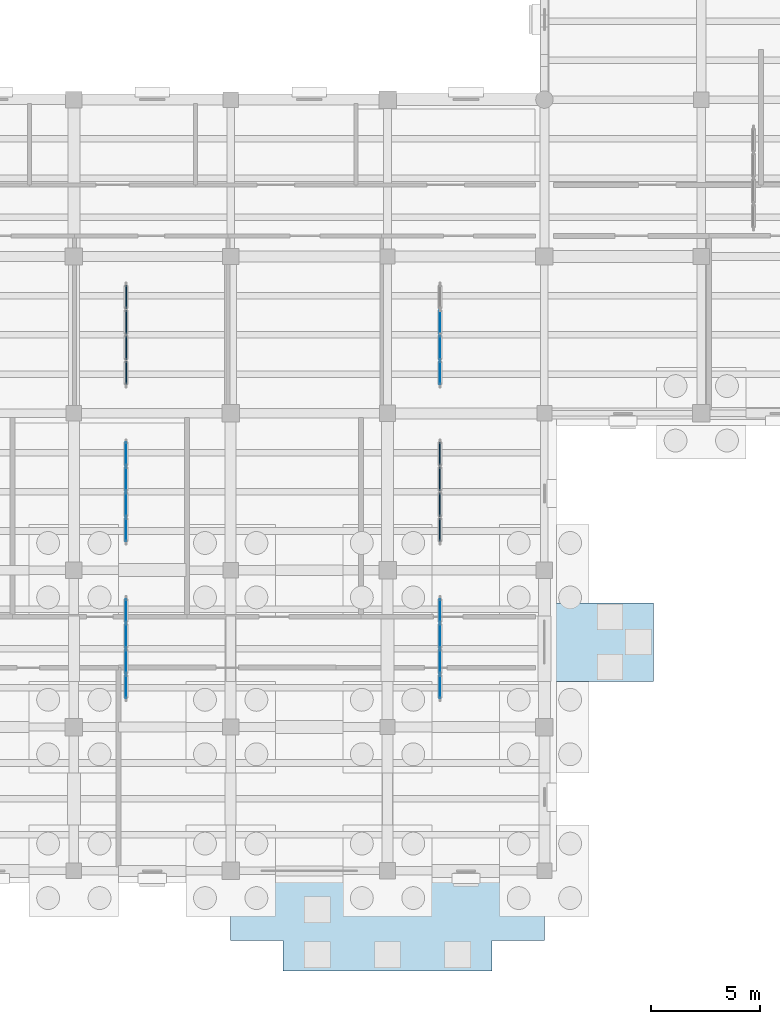
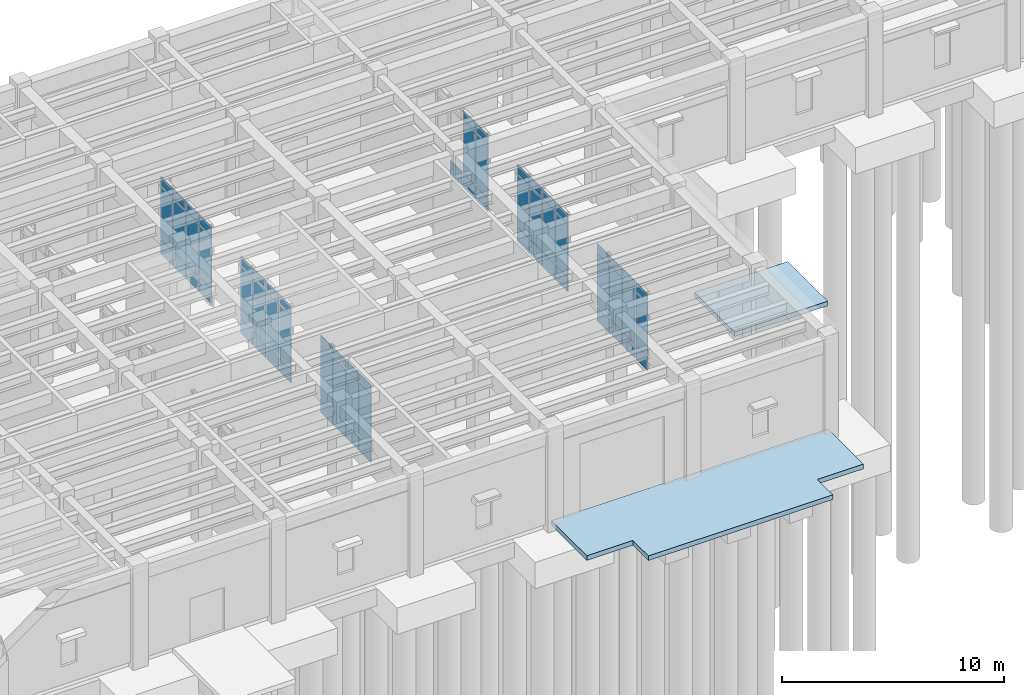
# One storey, part 62 of 100: 67 plates, 2 slabs, 6 elements without a shape of their own.
"""IFC4 building model written with IfcOpenShell, lengths in metres."""

from ifc_helpers import new_model, si_unit, direction, frame, origin, origin_2d, place, context, subcontext, project, spatial, polyline, rectangle, outline, extrude, material, layer, layer_set, type_object, element, aggregate, save


model = new_model("IFC4")

# Units and contexts
model_context = context("Model", 3, precision=1e-05, world=origin(), true_north=direction((0.0, 1.0)))
body_context = subcontext(model_context, "Body", "Model", "MODEL_VIEW")
ifc_project = project(units=[si_unit("LENGTHUNIT", "METRE"), si_unit("AREAUNIT", "SQUARE_METRE"), si_unit("VOLUMEUNIT", "CUBIC_METRE"), si_unit("PLANEANGLEUNIT", "RADIAN"), si_unit("MASSUNIT", "GRAM", prefix="KILO")], contexts=[model_context])

# Site, building, storey
site_placement = place(None, origin())
site = spatial("IfcSite", under=ifc_project, at=site_placement, CompositionType="ELEMENT")
building_placement = place(site_placement, origin())
building = spatial("IfcBuilding", under=site, at=building_placement, Name="Mithqara Police Headquarters", CompositionType="ELEMENT")
storey_placement = place(building_placement, origin())
storey = spatial("IfcBuildingStorey", under=building, at=storey_placement, Name="L00", CompositionType="ELEMENT", Elevation=0.0)

# Curtain wall, plates
ifc_material_1 = material(Name="Bronze anodised aluminium 6063-T6", Category="aluminium")
curtain_wall_type = type_object("IfcCurtainWallType", Name="CURTAIN WALL 4700X4400", PredefinedType="USERDEFINED", material=ifc_material_1)
curtain_wall_1_placement = place(storey_placement, origin())
curtain_wall_1 = element("IfcCurtainWall", 1, at=curtain_wall_1_placement, inside=storey, type_object=curtain_wall_type, Name="L00 Unitised Glazing CW-14 (CW-INT-L00-X17-Y01-0)", ObjectType="UNITISED GLAZING", PredefinedType="USERDEFINED")
ifc_material_2 = material(Name="Spectrally selective double low-e glass", Category="glass")
ifc_layer_1 = layer(ifc_material_2, 0.028076171875, Name="Spectrally selective double low-e glass")
ifc_layer_set_1 = layer_set([ifc_layer_1], Name="Spectrally selective double low-e glass")
plate_type_1 = type_object("IfcPlateType", Name="CWPANEL GLASS28", PredefinedType="CURTAIN_PANEL", material=ifc_layer_set_1)
plate_1_placement = place(storey_placement, frame((125.39990234375, 8.456298828125, 0.074951171875), z_axis=(0.0, 0.0, 1.0), x_axis=(0.0, 1.0, 0.0)))
plate_1 = element("IfcPlate", 2, at=plate_1_placement, type_object=plate_type_1, Name="CW-14 panel 1.1", PredefinedType="CURTAIN_PANEL", context=body_context, shape_type="SweptSolid", body=[
    extrude(rectangle(XDim=1.0625, YDim=0.028076171875, at=origin_2d()), origin(), (0.0, 0.0, 1.0), 0.78759765625),
])
plate_2_placement = place(storey_placement, frame((125.39990234375, 8.456298828125, 0.9375), z_axis=(0.0, 0.0, 1.0), x_axis=(0.0, 1.0, 0.0)))
plate_2 = element("IfcPlate", 3, at=plate_2_placement, type_object=plate_type_1, Name="CW-14 panel 1.2", PredefinedType="CURTAIN_PANEL", context=body_context, shape_type="SweptSolid", body=[
    extrude(rectangle(XDim=1.0625, YDim=0.028076171875, at=origin_2d()), origin(), (0.0, 0.0, 1.0), 2.875),
])
plate_3_placement = place(storey_placement, frame((125.39990234375, 8.456298828125, 3.887451171875), z_axis=(0.0, 0.0, 1.0), x_axis=(0.0, 1.0, 0.0)))
plate_3 = element("IfcPlate", 4, at=plate_3_placement, type_object=plate_type_1, Name="CW-14 panel 1.3", PredefinedType="CURTAIN_PANEL", context=body_context, shape_type="SweptSolid", body=[
    extrude(rectangle(XDim=1.0625, YDim=0.028076171875, at=origin_2d()), origin(), (0.0, 0.0, 1.0), 0.4375),
])
plate_4_placement = place(storey_placement, frame((125.39990234375, 9.612548828125, 0.074951171875), z_axis=(0.0, 0.0, 1.0), x_axis=(0.0, 1.0, 0.0)))
plate_4 = element("IfcPlate", 5, at=plate_4_placement, type_object=plate_type_1, Name="CW-14 panel 2.1", PredefinedType="CURTAIN_PANEL", context=body_context, shape_type="SweptSolid", body=[
    extrude(rectangle(XDim=1.10009765625, YDim=0.028076171875, at=origin_2d()), origin(), (0.0, 0.0, 1.0), 0.78759765625),
])
plate_5_placement = place(storey_placement, frame((125.39990234375, 9.612548828125, 0.9375), z_axis=(0.0, 0.0, 1.0), x_axis=(0.0, 1.0, 0.0)))
plate_5 = element("IfcPlate", 6, at=plate_5_placement, type_object=plate_type_1, Name="CW-14 panel 2.2", PredefinedType="CURTAIN_PANEL", context=body_context, shape_type="SweptSolid", body=[
    extrude(rectangle(XDim=1.10009765625, YDim=0.028076171875, at=origin_2d()), origin(), (0.0, 0.0, 1.0), 2.875),
])
plate_6_placement = place(storey_placement, frame((125.39990234375, 9.612548828125, 3.887451171875), z_axis=(0.0, 0.0, 1.0), x_axis=(0.0, 1.0, 0.0)))
plate_6 = element("IfcPlate", 7, at=plate_6_placement, type_object=plate_type_1, Name="CW-14 panel 2.3", PredefinedType="CURTAIN_PANEL", context=body_context, shape_type="SweptSolid", body=[
    extrude(rectangle(XDim=1.10009765625, YDim=0.028076171875, at=origin_2d()), origin(), (0.0, 0.0, 1.0), 0.4375),
])
plate_7_placement = place(storey_placement, frame((125.39990234375, 10.78759765625, 0.074951171875), z_axis=(0.0, 0.0, 1.0), x_axis=(0.0, 1.0, 0.0)))
plate_7 = element("IfcPlate", 8, at=plate_7_placement, type_object=plate_type_1, Name="CW-14 panel 3.1", PredefinedType="CURTAIN_PANEL", context=body_context, shape_type="SweptSolid", body=[
    extrude(rectangle(XDim=1.10009765625, YDim=0.028076171875, at=origin_2d()), origin(), (0.0, 0.0, 1.0), 0.78759765625),
])
plate_8_placement = place(storey_placement, frame((125.39990234375, 10.78759765625, 0.9375), z_axis=(0.0, 0.0, 1.0), x_axis=(0.0, 1.0, 0.0)))
plate_8 = element("IfcPlate", 9, at=plate_8_placement, type_object=plate_type_1, Name="CW-14 panel 3.2", PredefinedType="CURTAIN_PANEL", context=body_context, shape_type="SweptSolid", body=[
    extrude(rectangle(XDim=1.10009765625, YDim=0.028076171875, at=origin_2d()), origin(), (0.0, 0.0, 1.0), 2.875),
])
plate_9_placement = place(storey_placement, frame((125.39990234375, 10.78759765625, 3.887451171875), z_axis=(0.0, 0.0, 1.0), x_axis=(0.0, 1.0, 0.0)))
plate_9 = element("IfcPlate", 10, at=plate_9_placement, type_object=plate_type_1, Name="CW-14 panel 3.3", PredefinedType="CURTAIN_PANEL", context=body_context, shape_type="SweptSolid", body=[
    extrude(rectangle(XDim=1.10009765625, YDim=0.028076171875, at=origin_2d()), origin(), (0.0, 0.0, 1.0), 0.4375),
])
plate_10_placement = place(storey_placement, frame((125.39990234375, 11.94384765625, 0.074951171875), z_axis=(0.0, 0.0, 1.0), x_axis=(0.0, 1.0, 0.0)))
plate_10 = element("IfcPlate", 11, at=plate_10_placement, type_object=plate_type_1, Name="CW-14 panel 4.1", PredefinedType="CURTAIN_PANEL", context=body_context, shape_type="SweptSolid", body=[
    extrude(rectangle(XDim=1.0625, YDim=0.028076171875, at=origin_2d()), origin(), (0.0, 0.0, 1.0), 0.78759765625),
])
plate_11_placement = place(storey_placement, frame((125.39990234375, 11.94384765625, 0.9375), z_axis=(0.0, 0.0, 1.0), x_axis=(0.0, 1.0, 0.0)))
plate_11 = element("IfcPlate", 12, at=plate_11_placement, type_object=plate_type_1, Name="CW-14 panel 4.2", PredefinedType="CURTAIN_PANEL", context=body_context, shape_type="SweptSolid", body=[
    extrude(rectangle(XDim=1.0625, YDim=0.028076171875, at=origin_2d()), origin(), (0.0, 0.0, 1.0), 2.875),
])
plate_12_placement = place(storey_placement, frame((125.39990234375, 11.94384765625, 3.887451171875), z_axis=(0.0, 0.0, 1.0), x_axis=(0.0, 1.0, 0.0)))
plate_12 = element("IfcPlate", 13, at=plate_12_placement, type_object=plate_type_1, Name="CW-14 panel 4.3", PredefinedType="CURTAIN_PANEL", context=body_context, shape_type="SweptSolid", body=[
    extrude(rectangle(XDim=1.0625, YDim=0.028076171875, at=origin_2d()), origin(), (0.0, 0.0, 1.0), 0.4375),
])
aggregate(curtain_wall_1, [plate_1, plate_2, plate_3, plate_4, plate_5, plate_6, plate_7, plate_8, plate_9, plate_10, plate_11, plate_12])

curtain_wall_2_placement = place(storey_placement, origin())
curtain_wall_2 = element("IfcCurtainWall", 14, at=curtain_wall_2_placement, inside=storey, type_object=curtain_wall_type, Name="L00 Unitised Glazing CW-14 (CW-INT-L00-X17-Y02-0)", ObjectType="UNITISED GLAZING", PredefinedType="USERDEFINED")
plate_13_placement = place(storey_placement, frame((125.39990234375, 15.65625, 0.074951171875), z_axis=(0.0, 0.0, 1.0), x_axis=(0.0, 1.0, 0.0)))
plate_13 = element("IfcPlate", 15, at=plate_13_placement, type_object=plate_type_1, Name="CW-14 panel 1.1", PredefinedType="CURTAIN_PANEL", context=body_context, shape_type="SweptSolid", body=[
    extrude(rectangle(XDim=1.0625, YDim=0.028076171875, at=origin_2d()), origin(), (0.0, 0.0, 1.0), 0.78759765625),
])
plate_14_placement = place(storey_placement, frame((125.39990234375, 15.65625, 0.9375), z_axis=(0.0, 0.0, 1.0), x_axis=(0.0, 1.0, 0.0)))
plate_14 = element("IfcPlate", 16, at=plate_14_placement, type_object=plate_type_1, Name="CW-14 panel 1.2", PredefinedType="CURTAIN_PANEL", context=body_context, shape_type="SweptSolid", body=[
    extrude(rectangle(XDim=1.0625, YDim=0.028076171875, at=origin_2d()), origin(), (0.0, 0.0, 1.0), 2.875),
])
plate_15_placement = place(storey_placement, frame((125.39990234375, 15.65625, 3.887451171875), z_axis=(0.0, 0.0, 1.0), x_axis=(0.0, 1.0, 0.0)))
plate_15 = element("IfcPlate", 17, at=plate_15_placement, type_object=plate_type_1, Name="CW-14 panel 1.3", PredefinedType="CURTAIN_PANEL", context=body_context, shape_type="SweptSolid", body=[
    extrude(rectangle(XDim=1.0625, YDim=0.028076171875, at=origin_2d()), origin(), (0.0, 0.0, 1.0), 0.4375),
])
plate_16_placement = place(storey_placement, frame((125.39990234375, 16.8125, 0.074951171875), z_axis=(0.0, 0.0, 1.0), x_axis=(0.0, 1.0, 0.0)))
plate_16 = element("IfcPlate", 18, at=plate_16_placement, type_object=plate_type_1, Name="CW-14 panel 2.1", PredefinedType="CURTAIN_PANEL", context=body_context, shape_type="SweptSolid", body=[
    extrude(rectangle(XDim=1.10009765625, YDim=0.028076171875, at=origin_2d()), origin(), (0.0, 0.0, 1.0), 0.78759765625),
])
plate_17_placement = place(storey_placement, frame((125.39990234375, 16.8125, 0.9375), z_axis=(0.0, 0.0, 1.0), x_axis=(0.0, 1.0, 0.0)))
plate_17 = element("IfcPlate", 19, at=plate_17_placement, type_object=plate_type_1, Name="CW-14 panel 2.2", PredefinedType="CURTAIN_PANEL", context=body_context, shape_type="SweptSolid", body=[
    extrude(rectangle(XDim=1.10009765625, YDim=0.028076171875, at=origin_2d()), origin(), (0.0, 0.0, 1.0), 2.875),
])
plate_18_placement = place(storey_placement, frame((125.39990234375, 16.8125, 3.887451171875), z_axis=(0.0, 0.0, 1.0), x_axis=(0.0, 1.0, 0.0)))
plate_18 = element("IfcPlate", 20, at=plate_18_placement, type_object=plate_type_1, Name="CW-14 panel 2.3", PredefinedType="CURTAIN_PANEL", context=body_context, shape_type="SweptSolid", body=[
    extrude(rectangle(XDim=1.10009765625, YDim=0.028076171875, at=origin_2d()), origin(), (0.0, 0.0, 1.0), 0.4375),
])
plate_19_placement = place(storey_placement, frame((125.39990234375, 17.987548828125, 0.074951171875), z_axis=(0.0, 0.0, 1.0), x_axis=(0.0, 1.0, 0.0)))
plate_19 = element("IfcPlate", 21, at=plate_19_placement, type_object=plate_type_1, Name="CW-14 panel 3.1", PredefinedType="CURTAIN_PANEL", context=body_context, shape_type="SweptSolid", body=[
    extrude(rectangle(XDim=1.10009765625, YDim=0.028076171875, at=origin_2d()), origin(), (0.0, 0.0, 1.0), 0.78759765625),
])
plate_20_placement = place(storey_placement, frame((125.39990234375, 17.987548828125, 0.9375), z_axis=(0.0, 0.0, 1.0), x_axis=(0.0, 1.0, 0.0)))
plate_20 = element("IfcPlate", 22, at=plate_20_placement, type_object=plate_type_1, Name="CW-14 panel 3.2", PredefinedType="CURTAIN_PANEL", context=body_context, shape_type="SweptSolid", body=[
    extrude(rectangle(XDim=1.10009765625, YDim=0.028076171875, at=origin_2d()), origin(), (0.0, 0.0, 1.0), 2.875),
])
plate_21_placement = place(storey_placement, frame((125.39990234375, 17.987548828125, 3.887451171875), z_axis=(0.0, 0.0, 1.0), x_axis=(0.0, 1.0, 0.0)))
plate_21 = element("IfcPlate", 23, at=plate_21_placement, type_object=plate_type_1, Name="CW-14 panel 3.3", PredefinedType="CURTAIN_PANEL", context=body_context, shape_type="SweptSolid", body=[
    extrude(rectangle(XDim=1.10009765625, YDim=0.028076171875, at=origin_2d()), origin(), (0.0, 0.0, 1.0), 0.4375),
])
plate_22_placement = place(storey_placement, frame((125.39990234375, 19.143798828125, 0.074951171875), z_axis=(0.0, 0.0, 1.0), x_axis=(0.0, 1.0, 0.0)))
plate_22 = element("IfcPlate", 24, at=plate_22_placement, type_object=plate_type_1, Name="CW-14 panel 4.1", PredefinedType="CURTAIN_PANEL", context=body_context, shape_type="SweptSolid", body=[
    extrude(rectangle(XDim=1.0625, YDim=0.028076171875, at=origin_2d()), origin(), (0.0, 0.0, 1.0), 0.78759765625),
])
plate_23_placement = place(storey_placement, frame((125.39990234375, 19.143798828125, 0.9375), z_axis=(0.0, 0.0, 1.0), x_axis=(0.0, 1.0, 0.0)))
plate_23 = element("IfcPlate", 25, at=plate_23_placement, type_object=plate_type_1, Name="CW-14 panel 4.2", PredefinedType="CURTAIN_PANEL", context=body_context, shape_type="SweptSolid", body=[
    extrude(rectangle(XDim=1.0625, YDim=0.028076171875, at=origin_2d()), origin(), (0.0, 0.0, 1.0), 2.875),
])
plate_24_placement = place(storey_placement, frame((125.39990234375, 19.143798828125, 3.887451171875), z_axis=(0.0, 0.0, 1.0), x_axis=(0.0, 1.0, 0.0)))
plate_24 = element("IfcPlate", 26, at=plate_24_placement, type_object=plate_type_1, Name="CW-14 panel 4.3", PredefinedType="CURTAIN_PANEL", context=body_context, shape_type="SweptSolid", body=[
    extrude(rectangle(XDim=1.0625, YDim=0.028076171875, at=origin_2d()), origin(), (0.0, 0.0, 1.0), 0.4375),
])
aggregate(curtain_wall_2, [plate_13, plate_14, plate_15, plate_16, plate_17, plate_18, plate_19, plate_20, plate_21, plate_22, plate_23, plate_24])

curtain_wall_3_placement = place(storey_placement, origin())
curtain_wall_3 = element("IfcCurtainWall", 27, at=curtain_wall_3_placement, inside=storey, type_object=curtain_wall_type, Name="L00 Unitised Glazing CW-14 (CW-INT-L00-X19-Y01-0)", ObjectType="UNITISED GLAZING", PredefinedType="USERDEFINED")
plate_25_placement = place(storey_placement, frame((139.800048828125, 8.456298828125, 0.074951171875), z_axis=(0.0, 0.0, 1.0), x_axis=(0.0, 1.0, 0.0)))
plate_25 = element("IfcPlate", 28, at=plate_25_placement, type_object=plate_type_1, Name="CW-14 panel 1.1", PredefinedType="CURTAIN_PANEL", context=body_context, shape_type="SweptSolid", body=[
    extrude(rectangle(XDim=1.0625, YDim=0.028076171875, at=origin_2d()), origin(), (0.0, 0.0, 1.0), 0.78759765625),
])
plate_26_placement = place(storey_placement, frame((139.800048828125, 8.456298828125, 0.9375), z_axis=(0.0, 0.0, 1.0), x_axis=(0.0, 1.0, 0.0)))
plate_26 = element("IfcPlate", 29, at=plate_26_placement, type_object=plate_type_1, Name="CW-14 panel 1.2", PredefinedType="CURTAIN_PANEL", context=body_context, shape_type="SweptSolid", body=[
    extrude(rectangle(XDim=1.0625, YDim=0.028076171875, at=origin_2d()), origin(), (0.0, 0.0, 1.0), 2.875),
])
plate_27_placement = place(storey_placement, frame((139.800048828125, 8.456298828125, 3.887451171875), z_axis=(0.0, 0.0, 1.0), x_axis=(0.0, 1.0, 0.0)))
plate_27 = element("IfcPlate", 30, at=plate_27_placement, type_object=plate_type_1, Name="CW-14 panel 1.3", PredefinedType="CURTAIN_PANEL", context=body_context, shape_type="SweptSolid", body=[
    extrude(rectangle(XDim=1.0625, YDim=0.028076171875, at=origin_2d()), origin(), (0.0, 0.0, 1.0), 0.4375),
])
plate_28_placement = place(storey_placement, frame((139.800048828125, 9.612548828125, 0.074951171875), z_axis=(0.0, 0.0, 1.0), x_axis=(0.0, 1.0, 0.0)))
plate_28 = element("IfcPlate", 31, at=plate_28_placement, type_object=plate_type_1, Name="CW-14 panel 2.1", PredefinedType="CURTAIN_PANEL", context=body_context, shape_type="SweptSolid", body=[
    extrude(rectangle(XDim=1.10009765625, YDim=0.028076171875, at=origin_2d()), origin(), (0.0, 0.0, 1.0), 0.78759765625),
])
plate_29_placement = place(storey_placement, frame((139.800048828125, 9.612548828125, 0.9375), z_axis=(0.0, 0.0, 1.0), x_axis=(0.0, 1.0, 0.0)))
plate_29 = element("IfcPlate", 32, at=plate_29_placement, type_object=plate_type_1, Name="CW-14 panel 2.2", PredefinedType="CURTAIN_PANEL", context=body_context, shape_type="SweptSolid", body=[
    extrude(rectangle(XDim=1.10009765625, YDim=0.028076171875, at=origin_2d()), origin(), (0.0, 0.0, 1.0), 2.875),
])
plate_30_placement = place(storey_placement, frame((139.800048828125, 9.612548828125, 3.887451171875), z_axis=(0.0, 0.0, 1.0), x_axis=(0.0, 1.0, 0.0)))
plate_30 = element("IfcPlate", 33, at=plate_30_placement, type_object=plate_type_1, Name="CW-14 panel 2.3", PredefinedType="CURTAIN_PANEL", context=body_context, shape_type="SweptSolid", body=[
    extrude(rectangle(XDim=1.10009765625, YDim=0.028076171875, at=origin_2d()), origin(), (0.0, 0.0, 1.0), 0.4375),
])
plate_31_placement = place(storey_placement, frame((139.800048828125, 10.78759765625, 0.074951171875), z_axis=(0.0, 0.0, 1.0), x_axis=(0.0, 1.0, 0.0)))
plate_31 = element("IfcPlate", 34, at=plate_31_placement, type_object=plate_type_1, Name="CW-14 panel 3.1", PredefinedType="CURTAIN_PANEL", context=body_context, shape_type="SweptSolid", body=[
    extrude(rectangle(XDim=1.10009765625, YDim=0.028076171875, at=origin_2d()), origin(), (0.0, 0.0, 1.0), 0.78759765625),
])
plate_32_placement = place(storey_placement, frame((139.800048828125, 10.78759765625, 0.9375), z_axis=(0.0, 0.0, 1.0), x_axis=(0.0, 1.0, 0.0)))
plate_32 = element("IfcPlate", 35, at=plate_32_placement, type_object=plate_type_1, Name="CW-14 panel 3.2", PredefinedType="CURTAIN_PANEL", context=body_context, shape_type="SweptSolid", body=[
    extrude(rectangle(XDim=1.10009765625, YDim=0.028076171875, at=origin_2d()), origin(), (0.0, 0.0, 1.0), 2.875),
])
plate_33_placement = place(storey_placement, frame((139.800048828125, 10.78759765625, 3.887451171875), z_axis=(0.0, 0.0, 1.0), x_axis=(0.0, 1.0, 0.0)))
plate_33 = element("IfcPlate", 36, at=plate_33_placement, type_object=plate_type_1, Name="CW-14 panel 3.3", PredefinedType="CURTAIN_PANEL", context=body_context, shape_type="SweptSolid", body=[
    extrude(rectangle(XDim=1.10009765625, YDim=0.028076171875, at=origin_2d()), origin(), (0.0, 0.0, 1.0), 0.4375),
])
plate_34_placement = place(storey_placement, frame((139.800048828125, 11.94384765625, 0.074951171875), z_axis=(0.0, 0.0, 1.0), x_axis=(0.0, 1.0, 0.0)))
plate_34 = element("IfcPlate", 37, at=plate_34_placement, type_object=plate_type_1, Name="CW-14 panel 4.1", PredefinedType="CURTAIN_PANEL", context=body_context, shape_type="SweptSolid", body=[
    extrude(rectangle(XDim=1.0625, YDim=0.028076171875, at=origin_2d()), origin(), (0.0, 0.0, 1.0), 0.78759765625),
])
plate_35_placement = place(storey_placement, frame((139.800048828125, 11.94384765625, 0.9375), z_axis=(0.0, 0.0, 1.0), x_axis=(0.0, 1.0, 0.0)))
plate_35 = element("IfcPlate", 38, at=plate_35_placement, type_object=plate_type_1, Name="CW-14 panel 4.2", PredefinedType="CURTAIN_PANEL", context=body_context, shape_type="SweptSolid", body=[
    extrude(rectangle(XDim=1.0625, YDim=0.028076171875, at=origin_2d()), origin(), (0.0, 0.0, 1.0), 2.875),
])
plate_36_placement = place(storey_placement, frame((139.800048828125, 11.94384765625, 3.887451171875), z_axis=(0.0, 0.0, 1.0), x_axis=(0.0, 1.0, 0.0)))
plate_36 = element("IfcPlate", 39, at=plate_36_placement, type_object=plate_type_1, Name="CW-14 panel 4.3", PredefinedType="CURTAIN_PANEL", context=body_context, shape_type="SweptSolid", body=[
    extrude(rectangle(XDim=1.0625, YDim=0.028076171875, at=origin_2d()), origin(), (0.0, 0.0, 1.0), 0.4375),
])
aggregate(curtain_wall_3, [plate_25, plate_26, plate_27, plate_28, plate_29, plate_30, plate_31, plate_32, plate_33, plate_34, plate_35, plate_36])

curtain_wall_4_placement = place(storey_placement, origin())
curtain_wall_4 = element("IfcCurtainWall", 40, at=curtain_wall_4_placement, inside=storey, type_object=curtain_wall_type, Name="L00 Unitised Glazing CW-14 (CW-INT-L00-X19-Y03-0)", ObjectType="UNITISED GLAZING", PredefinedType="USERDEFINED")
plate_37_placement = place(storey_placement, frame((139.800048828125, 22.856201171875, 0.074951171875), z_axis=(0.0, 0.0, 1.0), x_axis=(0.0, 1.0, 0.0)))
plate_37 = element("IfcPlate", 41, at=plate_37_placement, type_object=plate_type_1, Name="CW-14 panel 1.1", PredefinedType="CURTAIN_PANEL", context=body_context, shape_type="SweptSolid", body=[
    extrude(rectangle(XDim=1.0625, YDim=0.028076171875, at=origin_2d()), origin(), (0.0, 0.0, 1.0), 0.78759765625),
])
plate_38_placement = place(storey_placement, frame((139.800048828125, 22.856201171875, 0.9375), z_axis=(0.0, 0.0, 1.0), x_axis=(0.0, 1.0, 0.0)))
plate_38 = element("IfcPlate", 42, at=plate_38_placement, type_object=plate_type_1, Name="CW-14 panel 1.2", PredefinedType="CURTAIN_PANEL", context=body_context, shape_type="SweptSolid", body=[
    extrude(rectangle(XDim=1.0625, YDim=0.028076171875, at=origin_2d()), origin(), (0.0, 0.0, 1.0), 2.875),
])
plate_39_placement = place(storey_placement, frame((139.800048828125, 22.856201171875, 3.887451171875), z_axis=(0.0, 0.0, 1.0), x_axis=(0.0, 1.0, 0.0)))
plate_39 = element("IfcPlate", 43, at=plate_39_placement, type_object=plate_type_1, Name="CW-14 panel 1.3", PredefinedType="CURTAIN_PANEL", context=body_context, shape_type="SweptSolid", body=[
    extrude(rectangle(XDim=1.0625, YDim=0.028076171875, at=origin_2d()), origin(), (0.0, 0.0, 1.0), 0.4375),
])
plate_40_placement = place(storey_placement, frame((139.800048828125, 24.012451171875, 0.074951171875), z_axis=(0.0, 0.0, 1.0), x_axis=(0.0, 1.0, 0.0)))
plate_40 = element("IfcPlate", 44, at=plate_40_placement, type_object=plate_type_1, Name="CW-14 panel 2.1", PredefinedType="CURTAIN_PANEL", context=body_context, shape_type="SweptSolid", body=[
    extrude(rectangle(XDim=1.10009765625, YDim=0.028076171875, at=origin_2d()), origin(), (0.0, 0.0, 1.0), 0.78759765625),
])
plate_41_placement = place(storey_placement, frame((139.800048828125, 24.012451171875, 0.9375), z_axis=(0.0, 0.0, 1.0), x_axis=(0.0, 1.0, 0.0)))
plate_41 = element("IfcPlate", 45, at=plate_41_placement, type_object=plate_type_1, Name="CW-14 panel 2.2", PredefinedType="CURTAIN_PANEL", context=body_context, shape_type="SweptSolid", body=[
    extrude(rectangle(XDim=1.10009765625, YDim=0.028076171875, at=origin_2d()), origin(), (0.0, 0.0, 1.0), 2.875),
])
plate_42_placement = place(storey_placement, frame((139.800048828125, 24.012451171875, 3.887451171875), z_axis=(0.0, 0.0, 1.0), x_axis=(0.0, 1.0, 0.0)))
plate_42 = element("IfcPlate", 46, at=plate_42_placement, type_object=plate_type_1, Name="CW-14 panel 2.3", PredefinedType="CURTAIN_PANEL", context=body_context, shape_type="SweptSolid", body=[
    extrude(rectangle(XDim=1.10009765625, YDim=0.028076171875, at=origin_2d()), origin(), (0.0, 0.0, 1.0), 0.4375),
])
plate_43_placement = place(storey_placement, frame((139.800048828125, 25.1875, 0.074951171875), z_axis=(0.0, 0.0, 1.0), x_axis=(0.0, 1.0, 0.0)))
plate_43 = element("IfcPlate", 47, at=plate_43_placement, type_object=plate_type_1, Name="CW-14 panel 3.1", PredefinedType="CURTAIN_PANEL", context=body_context, shape_type="SweptSolid", body=[
    extrude(rectangle(XDim=1.10009765625, YDim=0.028076171875, at=origin_2d()), origin(), (0.0, 0.0, 1.0), 0.78759765625),
])
aggregate(curtain_wall_4, [plate_37, plate_38, plate_39, plate_40, plate_41, plate_42, plate_43])

curtain_wall_5_placement = place(storey_placement, origin())
curtain_wall_5 = element("IfcCurtainWall", 48, at=curtain_wall_5_placement, inside=storey, type_object=curtain_wall_type, Name="L00 Unitised Glazing CW-14 (CW-INT-L00-X17-Y03-0)", ObjectType="UNITISED GLAZING", PredefinedType="USERDEFINED")
ifc_material_3 = material(Name="Insulated bronze aluminium spandrel panel", Category="aluminium")
ifc_layer_2 = layer(ifc_material_3, 0.048095703125, Name="Insulated bronze aluminium spandrel panel")
ifc_layer_set_2 = layer_set([ifc_layer_2], Name="Insulated bronze aluminium spandrel panel")
plate_type_2 = type_object("IfcPlateType", Name="CWPANEL SPANDREL48", PredefinedType="CURTAIN_PANEL", material=ifc_layer_set_2)
plate_44_placement = place(storey_placement, frame((125.39990234375, 22.856201171875, 0.074951171875), z_axis=(0.0, 0.0, 1.0), x_axis=(0.0, 1.0, 0.0)))
plate_44 = element("IfcPlate", 49, at=plate_44_placement, type_object=plate_type_2, Name="CW-14 panel 1.1", PredefinedType="CURTAIN_PANEL", context=body_context, shape_type="SweptSolid", body=[
    extrude(rectangle(XDim=1.0625, YDim=0.048095703125, at=origin_2d()), origin(), (0.0, 0.0, 1.0), 0.78759765625),
])
plate_45_placement = place(storey_placement, frame((125.39990234375, 22.856201171875, 0.9375), z_axis=(0.0, 0.0, 1.0), x_axis=(0.0, 1.0, 0.0)))
plate_45 = element("IfcPlate", 50, at=plate_45_placement, type_object=plate_type_2, Name="CW-14 panel 1.2", PredefinedType="CURTAIN_PANEL", context=body_context, shape_type="SweptSolid", body=[
    extrude(rectangle(XDim=1.0625, YDim=0.048095703125, at=origin_2d()), origin(), (0.0, 0.0, 1.0), 2.875),
])
plate_46_placement = place(storey_placement, frame((125.39990234375, 22.856201171875, 3.887451171875), z_axis=(0.0, 0.0, 1.0), x_axis=(0.0, 1.0, 0.0)))
plate_46 = element("IfcPlate", 51, at=plate_46_placement, type_object=plate_type_2, Name="CW-14 panel 1.3", PredefinedType="CURTAIN_PANEL", context=body_context, shape_type="SweptSolid", body=[
    extrude(rectangle(XDim=1.0625, YDim=0.048095703125, at=origin_2d()), origin(), (0.0, 0.0, 1.0), 0.4375),
])
plate_47_placement = place(storey_placement, frame((125.39990234375, 24.012451171875, 0.074951171875), z_axis=(0.0, 0.0, 1.0), x_axis=(0.0, 1.0, 0.0)))
plate_47 = element("IfcPlate", 52, at=plate_47_placement, type_object=plate_type_2, Name="CW-14 panel 2.1", PredefinedType="CURTAIN_PANEL", context=body_context, shape_type="SweptSolid", body=[
    extrude(rectangle(XDim=1.10009765625, YDim=0.048095703125, at=origin_2d()), origin(), (0.0, 0.0, 1.0), 0.78759765625),
])
plate_48_placement = place(storey_placement, frame((125.39990234375, 24.012451171875, 0.9375), z_axis=(0.0, 0.0, 1.0), x_axis=(0.0, 1.0, 0.0)))
plate_48 = element("IfcPlate", 53, at=plate_48_placement, type_object=plate_type_2, Name="CW-14 panel 2.2", PredefinedType="CURTAIN_PANEL", context=body_context, shape_type="SweptSolid", body=[
    extrude(rectangle(XDim=1.10009765625, YDim=0.048095703125, at=origin_2d()), origin(), (0.0, 0.0, 1.0), 2.875),
])
plate_49_placement = place(storey_placement, frame((125.39990234375, 24.012451171875, 3.887451171875), z_axis=(0.0, 0.0, 1.0), x_axis=(0.0, 1.0, 0.0)))
plate_49 = element("IfcPlate", 54, at=plate_49_placement, type_object=plate_type_2, Name="CW-14 panel 2.3", PredefinedType="CURTAIN_PANEL", context=body_context, shape_type="SweptSolid", body=[
    extrude(rectangle(XDim=1.10009765625, YDim=0.048095703125, at=origin_2d()), origin(), (0.0, 0.0, 1.0), 0.4375),
])
plate_50_placement = place(storey_placement, frame((125.39990234375, 25.1875, 0.074951171875), z_axis=(0.0, 0.0, 1.0), x_axis=(0.0, 1.0, 0.0)))
plate_50 = element("IfcPlate", 55, at=plate_50_placement, type_object=plate_type_2, Name="CW-14 panel 3.1", PredefinedType="CURTAIN_PANEL", context=body_context, shape_type="SweptSolid", body=[
    extrude(rectangle(XDim=1.10009765625, YDim=0.048095703125, at=origin_2d()), origin(), (0.0, 0.0, 1.0), 0.78759765625),
])
plate_51_placement = place(storey_placement, frame((125.39990234375, 25.1875, 0.9375), z_axis=(0.0, 0.0, 1.0), x_axis=(0.0, 1.0, 0.0)))
plate_51 = element("IfcPlate", 56, at=plate_51_placement, type_object=plate_type_2, Name="CW-14 panel 3.2", PredefinedType="CURTAIN_PANEL", context=body_context, shape_type="SweptSolid", body=[
    extrude(rectangle(XDim=1.10009765625, YDim=0.048095703125, at=origin_2d()), origin(), (0.0, 0.0, 1.0), 2.875),
])
plate_52_placement = place(storey_placement, frame((125.39990234375, 25.1875, 3.887451171875), z_axis=(0.0, 0.0, 1.0), x_axis=(0.0, 1.0, 0.0)))
plate_52 = element("IfcPlate", 57, at=plate_52_placement, type_object=plate_type_2, Name="CW-14 panel 3.3", PredefinedType="CURTAIN_PANEL", context=body_context, shape_type="SweptSolid", body=[
    extrude(rectangle(XDim=1.10009765625, YDim=0.048095703125, at=origin_2d()), origin(), (0.0, 0.0, 1.0), 0.4375),
])
plate_53_placement = place(storey_placement, frame((125.39990234375, 26.34375, 0.074951171875), z_axis=(0.0, 0.0, 1.0), x_axis=(0.0, 1.0, 0.0)))
plate_53 = element("IfcPlate", 58, at=plate_53_placement, type_object=plate_type_2, Name="CW-14 panel 4.1", PredefinedType="CURTAIN_PANEL", context=body_context, shape_type="SweptSolid", body=[
    extrude(rectangle(XDim=1.0625, YDim=0.048095703125, at=origin_2d()), origin(), (0.0, 0.0, 1.0), 0.78759765625),
])
plate_54_placement = place(storey_placement, frame((125.39990234375, 26.34375, 0.9375), z_axis=(0.0, 0.0, 1.0), x_axis=(0.0, 1.0, 0.0)))
plate_54 = element("IfcPlate", 59, at=plate_54_placement, type_object=plate_type_2, Name="CW-14 panel 4.2", PredefinedType="CURTAIN_PANEL", context=body_context, shape_type="SweptSolid", body=[
    extrude(rectangle(XDim=1.0625, YDim=0.048095703125, at=origin_2d()), origin(), (0.0, 0.0, 1.0), 2.875),
])
plate_55_placement = place(storey_placement, frame((125.39990234375, 26.34375, 3.887451171875), z_axis=(0.0, 0.0, 1.0), x_axis=(0.0, 1.0, 0.0)))
plate_55 = element("IfcPlate", 60, at=plate_55_placement, type_object=plate_type_2, Name="CW-14 panel 4.3", PredefinedType="CURTAIN_PANEL", context=body_context, shape_type="SweptSolid", body=[
    extrude(rectangle(XDim=1.0625, YDim=0.048095703125, at=origin_2d()), origin(), (0.0, 0.0, 1.0), 0.4375),
])
aggregate(curtain_wall_5, [plate_44, plate_45, plate_46, plate_47, plate_48, plate_49, plate_50, plate_51, plate_52, plate_53, plate_54, plate_55])

curtain_wall_6_placement = place(storey_placement, origin())
curtain_wall_6 = element("IfcCurtainWall", 61, at=curtain_wall_6_placement, inside=storey, type_object=curtain_wall_type, Name="L00 Unitised Glazing CW-14 (CW-INT-L00-X19-Y02-0)", ObjectType="UNITISED GLAZING", PredefinedType="USERDEFINED")
plate_56_placement = place(storey_placement, frame((139.800048828125, 15.65625, 0.074951171875), z_axis=(0.0, 0.0, 1.0), x_axis=(0.0, 1.0, 0.0)))
plate_56 = element("IfcPlate", 62, at=plate_56_placement, type_object=plate_type_2, Name="CW-14 panel 1.1", PredefinedType="CURTAIN_PANEL", context=body_context, shape_type="SweptSolid", body=[
    extrude(rectangle(XDim=1.0625, YDim=0.048095703125, at=origin_2d()), origin(), (0.0, 0.0, 1.0), 0.78759765625),
])
plate_57_placement = place(storey_placement, frame((139.800048828125, 15.65625, 0.9375), z_axis=(0.0, 0.0, 1.0), x_axis=(0.0, 1.0, 0.0)))
plate_57 = element("IfcPlate", 63, at=plate_57_placement, type_object=plate_type_2, Name="CW-14 panel 1.2", PredefinedType="CURTAIN_PANEL", context=body_context, shape_type="SweptSolid", body=[
    extrude(rectangle(XDim=1.0625, YDim=0.048095703125, at=origin_2d()), origin(), (0.0, 0.0, 1.0), 2.875),
])
plate_58_placement = place(storey_placement, frame((139.800048828125, 15.65625, 3.887451171875), z_axis=(0.0, 0.0, 1.0), x_axis=(0.0, 1.0, 0.0)))
plate_58 = element("IfcPlate", 64, at=plate_58_placement, type_object=plate_type_2, Name="CW-14 panel 1.3", PredefinedType="CURTAIN_PANEL", context=body_context, shape_type="SweptSolid", body=[
    extrude(rectangle(XDim=1.0625, YDim=0.048095703125, at=origin_2d()), origin(), (0.0, 0.0, 1.0), 0.4375),
])
plate_59_placement = place(storey_placement, frame((139.800048828125, 16.8125, 0.074951171875), z_axis=(0.0, 0.0, 1.0), x_axis=(0.0, 1.0, 0.0)))
plate_59 = element("IfcPlate", 65, at=plate_59_placement, type_object=plate_type_2, Name="CW-14 panel 2.1", PredefinedType="CURTAIN_PANEL", context=body_context, shape_type="SweptSolid", body=[
    extrude(rectangle(XDim=1.10009765625, YDim=0.048095703125, at=origin_2d()), origin(), (0.0, 0.0, 1.0), 0.78759765625),
])
plate_60_placement = place(storey_placement, frame((139.800048828125, 16.8125, 0.9375), z_axis=(0.0, 0.0, 1.0), x_axis=(0.0, 1.0, 0.0)))
plate_60 = element("IfcPlate", 66, at=plate_60_placement, type_object=plate_type_2, Name="CW-14 panel 2.2", PredefinedType="CURTAIN_PANEL", context=body_context, shape_type="SweptSolid", body=[
    extrude(rectangle(XDim=1.10009765625, YDim=0.048095703125, at=origin_2d()), origin(), (0.0, 0.0, 1.0), 2.875),
])
plate_61_placement = place(storey_placement, frame((139.800048828125, 16.8125, 3.887451171875), z_axis=(0.0, 0.0, 1.0), x_axis=(0.0, 1.0, 0.0)))
plate_61 = element("IfcPlate", 67, at=plate_61_placement, type_object=plate_type_2, Name="CW-14 panel 2.3", PredefinedType="CURTAIN_PANEL", context=body_context, shape_type="SweptSolid", body=[
    extrude(rectangle(XDim=1.10009765625, YDim=0.048095703125, at=origin_2d()), origin(), (0.0, 0.0, 1.0), 0.4375),
])
plate_62_placement = place(storey_placement, frame((139.800048828125, 17.987548828125, 0.074951171875), z_axis=(0.0, 0.0, 1.0), x_axis=(0.0, 1.0, 0.0)))
plate_62 = element("IfcPlate", 68, at=plate_62_placement, type_object=plate_type_2, Name="CW-14 panel 3.1", PredefinedType="CURTAIN_PANEL", context=body_context, shape_type="SweptSolid", body=[
    extrude(rectangle(XDim=1.10009765625, YDim=0.048095703125, at=origin_2d()), origin(), (0.0, 0.0, 1.0), 0.78759765625),
])
plate_63_placement = place(storey_placement, frame((139.800048828125, 17.987548828125, 0.9375), z_axis=(0.0, 0.0, 1.0), x_axis=(0.0, 1.0, 0.0)))
plate_63 = element("IfcPlate", 69, at=plate_63_placement, type_object=plate_type_2, Name="CW-14 panel 3.2", PredefinedType="CURTAIN_PANEL", context=body_context, shape_type="SweptSolid", body=[
    extrude(rectangle(XDim=1.10009765625, YDim=0.048095703125, at=origin_2d()), origin(), (0.0, 0.0, 1.0), 2.875),
])
plate_64_placement = place(storey_placement, frame((139.800048828125, 17.987548828125, 3.887451171875), z_axis=(0.0, 0.0, 1.0), x_axis=(0.0, 1.0, 0.0)))
plate_64 = element("IfcPlate", 70, at=plate_64_placement, type_object=plate_type_2, Name="CW-14 panel 3.3", PredefinedType="CURTAIN_PANEL", context=body_context, shape_type="SweptSolid", body=[
    extrude(rectangle(XDim=1.10009765625, YDim=0.048095703125, at=origin_2d()), origin(), (0.0, 0.0, 1.0), 0.4375),
])
plate_65_placement = place(storey_placement, frame((139.800048828125, 19.143798828125, 0.074951171875), z_axis=(0.0, 0.0, 1.0), x_axis=(0.0, 1.0, 0.0)))
plate_65 = element("IfcPlate", 71, at=plate_65_placement, type_object=plate_type_2, Name="CW-14 panel 4.1", PredefinedType="CURTAIN_PANEL", context=body_context, shape_type="SweptSolid", body=[
    extrude(rectangle(XDim=1.0625, YDim=0.048095703125, at=origin_2d()), origin(), (0.0, 0.0, 1.0), 0.78759765625),
])
plate_66_placement = place(storey_placement, frame((139.800048828125, 19.143798828125, 0.9375), z_axis=(0.0, 0.0, 1.0), x_axis=(0.0, 1.0, 0.0)))
plate_66 = element("IfcPlate", 72, at=plate_66_placement, type_object=plate_type_2, Name="CW-14 panel 4.2", PredefinedType="CURTAIN_PANEL", context=body_context, shape_type="SweptSolid", body=[
    extrude(rectangle(XDim=1.0625, YDim=0.048095703125, at=origin_2d()), origin(), (0.0, 0.0, 1.0), 2.875),
])
plate_67_placement = place(storey_placement, frame((139.800048828125, 19.143798828125, 3.887451171875), z_axis=(0.0, 0.0, 1.0), x_axis=(0.0, 1.0, 0.0)))
plate_67 = element("IfcPlate", 73, at=plate_67_placement, type_object=plate_type_2, Name="CW-14 panel 4.3", PredefinedType="CURTAIN_PANEL", context=body_context, shape_type="SweptSolid", body=[
    extrude(rectangle(XDim=1.0625, YDim=0.048095703125, at=origin_2d()), origin(), (0.0, 0.0, 1.0), 0.4375),
])
aggregate(curtain_wall_6, [plate_56, plate_57, plate_58, plate_59, plate_60, plate_61, plate_62, plate_63, plate_64, plate_65, plate_66, plate_67])

# Slabs
ifc_material_4 = material(Name="Concrete C40/50", Category="concrete")
ifc_layer_3 = layer(ifc_material_4, 0.260009765625, Name="Concrete C40/50")
ifc_layer_set_3 = layer_set([ifc_layer_3], Name="Concrete C40/50")
slab_type = type_object("IfcSlabType", Name="PAVING SLAB 260", PredefinedType="FLOOR", material=ifc_layer_set_3)
slab_1_placement = place(storey_placement, frame((0.0, 0.0, -0.260009765625)))
element("IfcSlab", 74, at=slab_1_placement, inside=storey, type_object=slab_type, Name="Custody Sally-Port Street Apron", PredefinedType="FLOOR", context=body_context, shape_type="SweptSolid", body=[
    extrude(outline(polyline([(132.60009765625, -4.60009765625), (132.60009765625, -3.199951171875), (130.199951171875, -3.199951171875), (130.199951171875, 0.0), (144.60009765625, 0.0), (144.60009765625, -3.199951171875), (142.199951171875, -3.199951171875), (142.199951171875, -4.60009765625), (132.60009765625, -4.60009765625)])), origin(), (0.0, 0.0, 1.0), 0.260009765625),
])
slab_2_placement = place(storey_placement, frame((0.0, 0.0, -0.260009765625)))
element("IfcSlab", 75, at=slab_2_placement, inside=storey, type_object=slab_type, Name="Ground Exit Threshold Apron 3", PredefinedType="FLOOR", context=body_context, shape_type="SweptSolid", body=[
    extrude(outline(polyline([(144.760009765625, 12.300048828125), (149.610107421875, 12.300048828125), (149.610107421875, 8.699951171875), (144.760009765625, 8.699951171875), (144.760009765625, 12.300048828125)])), origin(), (0.0, 0.0, 1.0), 0.260009765625),
])

save(model, "model.ifc")
